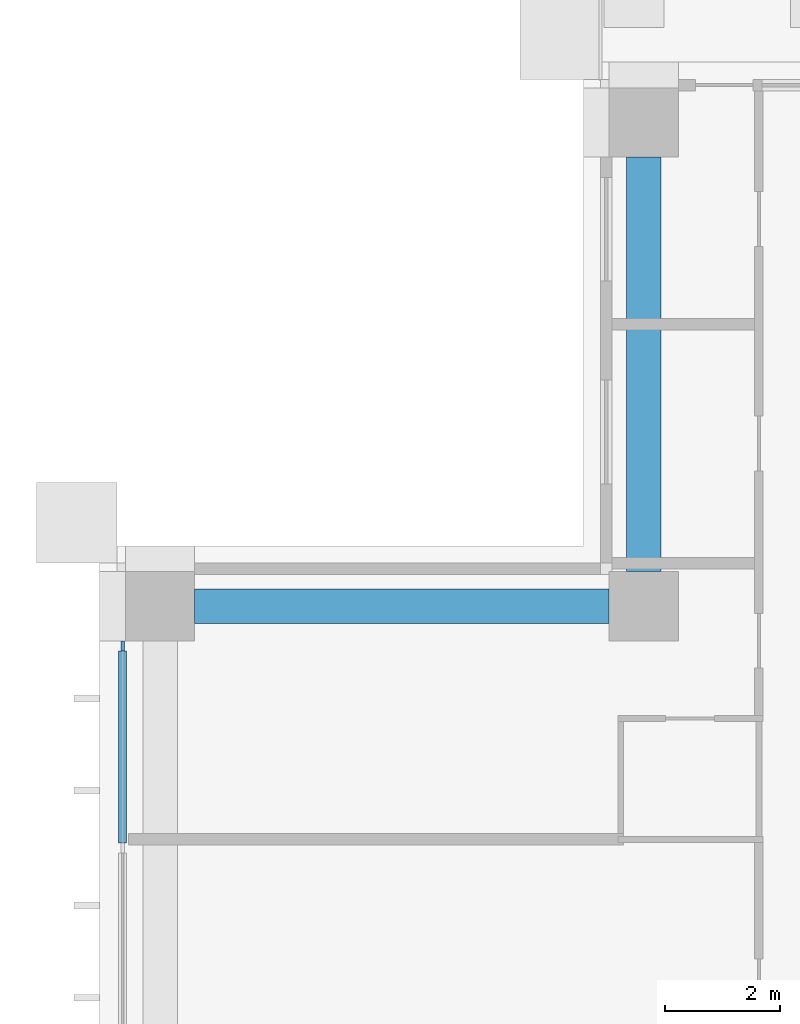
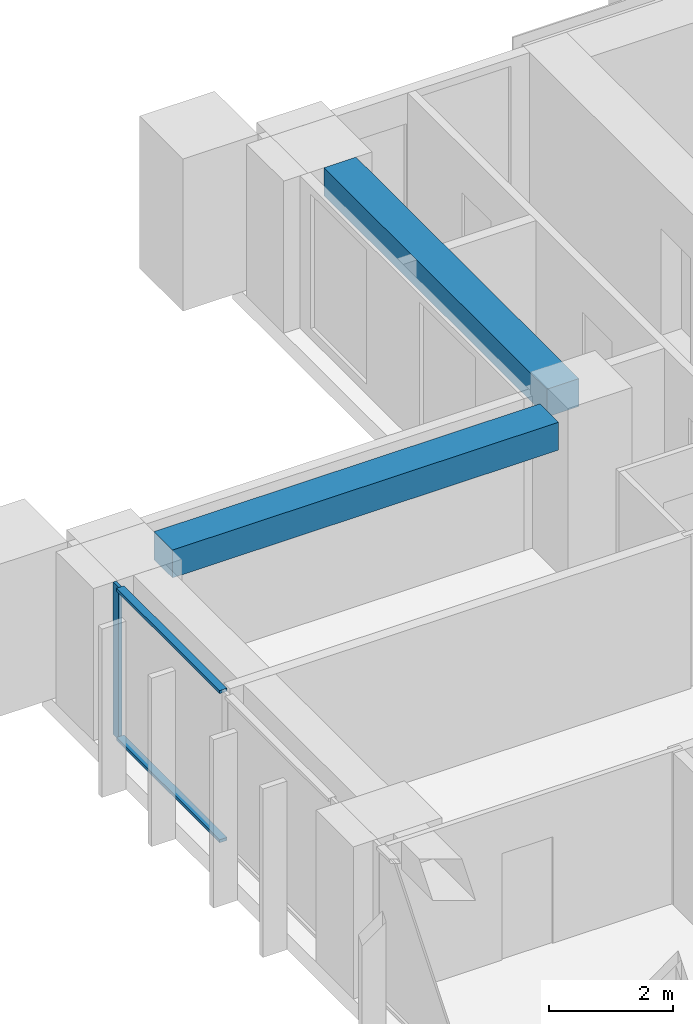
# One storey, part 6 of 21: 3 members, 2 beams, 1 element without a shape of its own.
"""IFC4 building model written with IfcOpenShell, lengths in metres."""

from ifc_helpers import new_model, si_unit, direction, frame, origin, origin_2d, place, context, subcontext, project, spatial, rectangle, extrude, material, material_profile, profile_set, type_object, element, aggregate, save


model = new_model("IFC4")

# Units and contexts
model_context = context("Model", 3, precision=1e-05, world=origin(), true_north=direction((0.0, 1.0)))
body_context = subcontext(model_context, "Body", "Model", "MODEL_VIEW")
ifc_project = project(units=[si_unit("LENGTHUNIT", "METRE"), si_unit("AREAUNIT", "SQUARE_METRE"), si_unit("VOLUMEUNIT", "CUBIC_METRE"), si_unit("PLANEANGLEUNIT", "RADIAN"), si_unit("MASSUNIT", "GRAM", prefix="KILO")], contexts=[model_context])

# Site, building, storey
site_placement = place(None, origin())
site = spatial("IfcSite", under=ifc_project, at=site_placement, CompositionType="ELEMENT")
building_placement = place(site_placement, origin())
building = spatial("IfcBuilding", under=site, at=building_placement, Name="Vermilion Ogive Tower", CompositionType="ELEMENT")
storey_placement = place(building_placement, frame((0.0, 0.0, 118.35009765625)))
storey = spatial("IfcBuildingStorey", under=building, at=storey_placement, Name="L30", CompositionType="ELEMENT", Elevation=118.35009765625)

# Curtain wall, members
ifc_material_1 = material(Name="Low-iron laminated glazing in aluminium frame", Category="aluminium")
curtain_wall_type = type_object("IfcCurtainWallType", Name="Curtain wall CW7", PredefinedType="NOTDEFINED", material=ifc_material_1)
curtain_wall_placement = place(storey_placement, origin())
curtain_wall = element("IfcCurtainWall", 1, at=curtain_wall_placement, inside=storey, type_object=curtain_wall_type, Name="Glazed skin W1", PredefinedType="NOTDEFINED")
ifc_material_2 = material(Name="Aluminium mullion", Category="aluminium")
ifc_material_profile_1 = material_profile(ifc_material_2, rectangle(XDim=0.06005859375, YDim=0.179931640625, at=origin_2d()), Name="AL 60x180")
ifc_profile_set_1 = profile_set([ifc_material_profile_1], Name="Aluminium mullion")
member_type_1 = type_object("IfcMemberType", Name="CW7 mullion 60x180", PredefinedType="MULLION", material=ifc_profile_set_1)
member_1_placement = place(storey_placement, frame((-25.85009765625, 11.909912109375, 0.0), z_axis=(0.0, 0.0, 1.0), x_axis=(1.0, 0.0, 0.0)))
member_1 = element("IfcMember", 2, at=member_1_placement, type_object=member_type_1, Name="CW7-W1 mullion 1", PredefinedType="MULLION", context=body_context, shape_type="SweptSolid", body=[
    extrude(rectangle(XDim=0.06005859375, YDim=0.179931640625, at=origin_2d()), origin(), (0.0, 0.0, 1.0), 3.0),
])
ifc_material_3 = material(Name="Aluminium transom", Category="aluminium")
ifc_material_profile_2 = material_profile(ifc_material_3, rectangle(XDim=0.139892578125, YDim=0.06005859375, at=origin_2d()), Name="AL 60x140")
ifc_profile_set_2 = profile_set([ifc_material_profile_2], Name="Aluminium transom")
member_type_2 = type_object("IfcMemberType", Name="CW7 transom 60x140", PredefinedType="USERDEFINED", material=ifc_profile_set_2)
member_2_placement = place(storey_placement, frame((-25.85009765625, 11.820068359375, 0.02978515625), z_axis=(0.0, -1.0, 0.0), x_axis=(1.0, 0.0, 0.0)))
member_2 = element("IfcMember", 3, at=member_2_placement, type_object=member_type_2, Name="CW7-W1 transom 1.1", ObjectType="TRANSOM", PredefinedType="USERDEFINED", context=body_context, shape_type="SweptSolid", body=[
    extrude(rectangle(XDim=0.139892578125, YDim=0.06005859375, at=origin_2d()), origin(), (0.0, 0.0, 1.0), 3.330078125),
])
member_3_placement = place(storey_placement, frame((-25.85009765625, 11.820068359375, 2.969970703125), z_axis=(0.0, -1.0, 0.0), x_axis=(1.0, 0.0, 0.0)))
member_3 = element("IfcMember", 4, at=member_3_placement, type_object=member_type_2, Name="CW7-W1 transom 1.2", ObjectType="TRANSOM", PredefinedType="USERDEFINED", context=body_context, shape_type="SweptSolid", body=[
    extrude(rectangle(XDim=0.139892578125, YDim=0.06005859375, at=origin_2d()), origin(), (0.0, 0.0, 1.0), 3.330078125),
])
aggregate(curtain_wall, [member_1, member_2, member_3])

# Beams
ifc_material_4 = material(Name="Concrete B45", Category="concrete")
ifc_material_profile_3 = material_profile(ifc_material_4, rectangle(XDim=0.60009765625, YDim=0.550048828125, at=origin_2d()), Name="600 x 550")
ifc_profile_set_3 = profile_set([ifc_material_profile_3], Name="Concrete B45")
beam_type = type_object("IfcBeamType", Name="Edge beam 600 x 550 B45", PredefinedType="BEAM", material=ifc_profile_set_3)
beam_1_placement = place(storey_placement, frame((-16.800048828125, 20.39990234375, 2.724853515625), z_axis=(0.0, -1.0, 0.0), x_axis=(1.0, 0.0, 0.0)))
element("IfcBeam", 5, at=beam_1_placement, inside=storey, type_object=beam_type, Name="L30-EB-12", PredefinedType="BEAM", context=body_context, shape_type="SweptSolid", body=[
    extrude(rectangle(XDim=0.60009765625, YDim=0.550048828125, at=origin_2d()), origin(), (0.0, 0.0, 1.0), 7.199951171875),
])
beam_2_placement = place(storey_placement, frame((-17.39990234375, 12.60009765625, 2.724853515625), z_axis=(-1.0, 0.0, 0.0), x_axis=(0.0, -1.0, 0.0)))
element("IfcBeam", 6, at=beam_2_placement, inside=storey, type_object=beam_type, Name="L30-EB-13", PredefinedType="BEAM", context=body_context, shape_type="SweptSolid", body=[
    extrude(rectangle(XDim=0.60009765625, YDim=0.550048828125, at=origin_2d()), origin(), (0.0, 0.0, 1.0), 7.2001953125),
])

save(model, "model.ifc")
